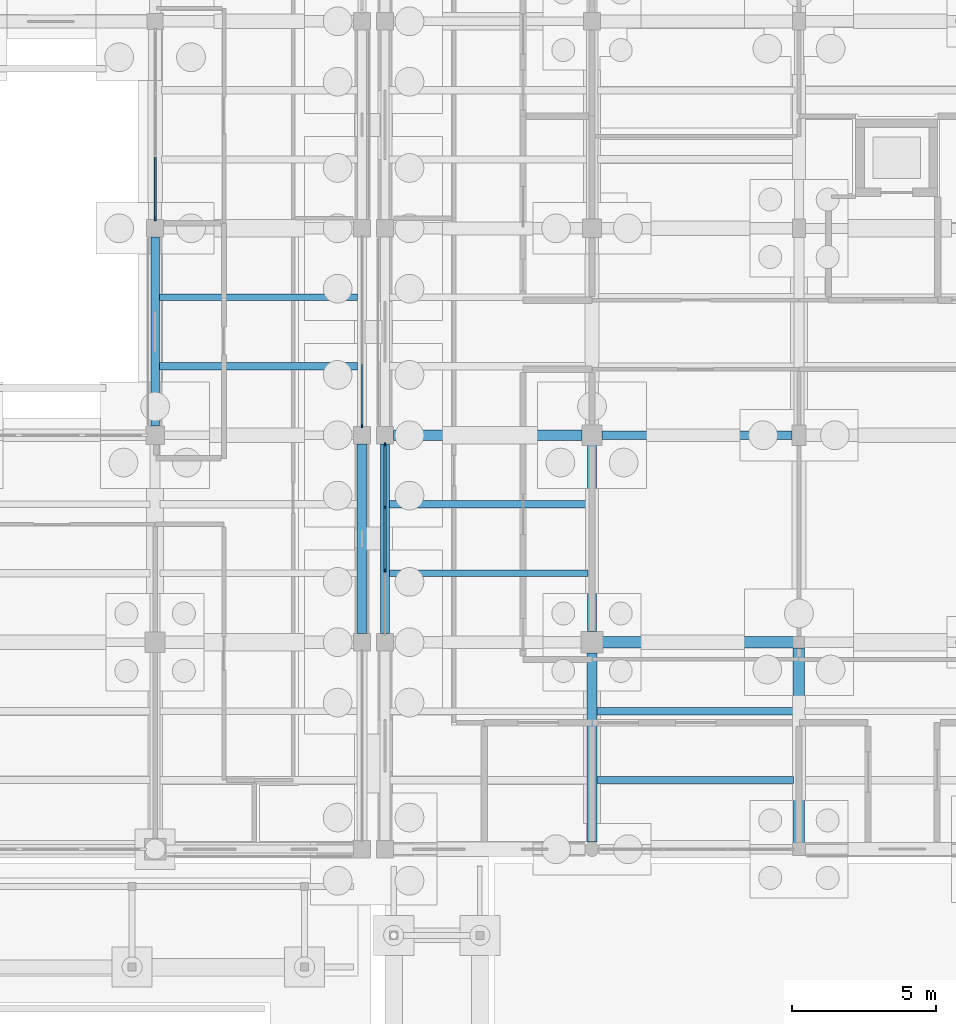
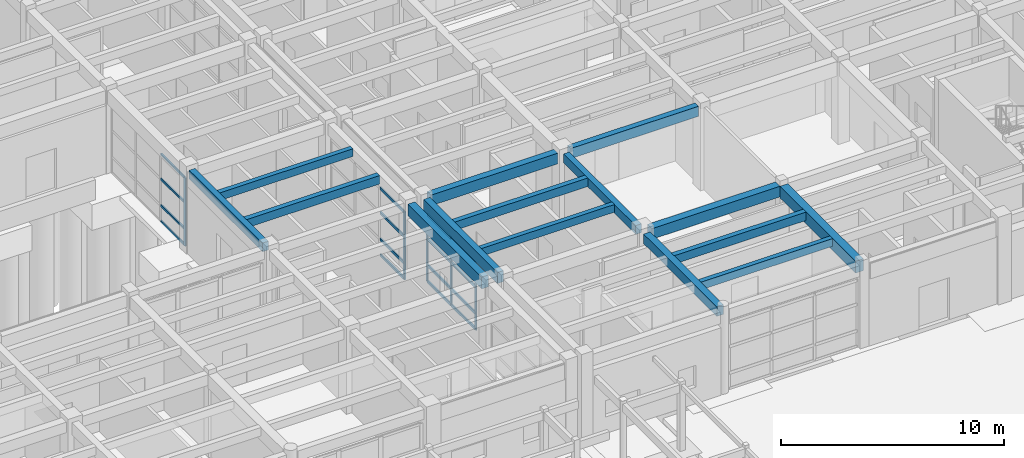
# One storey, part 67 of 143: 21 members, 15 beams, 3 elements without a shape of their own.
"""IFC4 building model written with IfcOpenShell, lengths in metres."""

from ifc_helpers import new_model, si_unit, direction, frame, origin, origin_2d, place, context, subcontext, project, spatial, rectangle, extrude, material, material_profile, profile_set, type_object, element, aggregate, save


model = new_model("IFC4")

# Units and contexts
model_context = context("Model", 3, precision=1e-05, world=origin(), true_north=direction((0.0, 1.0)))
body_context = subcontext(model_context, "Body", "Model", "MODEL_VIEW")
ifc_project = project(units=[si_unit("LENGTHUNIT", "METRE"), si_unit("AREAUNIT", "SQUARE_METRE"), si_unit("VOLUMEUNIT", "CUBIC_METRE"), si_unit("PLANEANGLEUNIT", "RADIAN"), si_unit("MASSUNIT", "GRAM", prefix="KILO")], contexts=[model_context])

# Site, building, storey
site_placement = place(None, origin())
site = spatial("IfcSite", under=ifc_project, at=site_placement, CompositionType="ELEMENT")
building_placement = place(site_placement, origin())
building = spatial("IfcBuilding", under=site, at=building_placement, Name="Steenspoor Specialist Clinic", CompositionType="ELEMENT")
storey_placement = place(building_placement, origin())
storey = spatial("IfcBuildingStorey", under=building, at=storey_placement, Name="L00", CompositionType="ELEMENT", Elevation=0.0)

# Beams
ifc_material_1 = material(Name="Concrete C35/45", Category="concrete")
ifc_material_profile_1 = material_profile(ifc_material_1, rectangle(XDim=0.300048828125, YDim=0.47998046875, at=origin_2d()), Name="RC-BM-300X480")
ifc_profile_set_1 = profile_set([ifc_material_profile_1], Name="Concrete C35/45")
beam_type_1 = type_object("IfcBeamType", Name="BM-RC-300X480", PredefinedType="BEAM", material=ifc_profile_set_1)
beam_1_placement = place(storey_placement, frame((110.0, 79.8701171875, 4.31005859375), z_axis=(0.0, 1.0, 0.0), x_axis=(-1.0, 0.0, 0.0)))
element("IfcBeam", 1, at=beam_1_placement, inside=storey, type_object=beam_type_1, Name="BM-V4-L00-Y0387", PredefinedType="BEAM", context=body_context, shape_type="SweptSolid", body=[
    extrude(rectangle(XDim=0.300048828125, YDim=0.47998046875, at=origin_2d()), origin(), (0.0, 0.0, 1.0), 6.5849609375),
])
beam_2_placement = place(storey_placement, frame((125.199951171875, 72.719970703125, 4.280029296875), z_axis=(0.0, 1.0, 0.0), x_axis=(-1.0, 0.0, 0.0)))
element("IfcBeam", 2, at=beam_2_placement, inside=storey, type_object=beam_type_1, Name="BM-V6-L00-Y1398", PredefinedType="BEAM", context=body_context, shape_type="SweptSolid", body=[
    extrude(rectangle(XDim=0.300048828125, YDim=0.47998046875, at=origin_2d()), origin(), (0.0, 0.0, 1.0), 6.485107421875),
])
ifc_material_profile_2 = material_profile(ifc_material_1, rectangle(XDim=0.300048828125, YDim=0.550048828125, at=origin_2d()), Name="RC-BM-300X550")
ifc_profile_set_2 = profile_set([ifc_material_profile_2], Name="Concrete C35/45")
beam_type_2 = type_object("IfcBeamType", Name="BM-RC-300X550", PredefinedType="BEAM", material=ifc_profile_set_2)
beam_3_placement = place(storey_placement, frame((125.544921875, 79.550048828125, 4.2451171875), z_axis=(1.0, 0.0, 0.0), x_axis=(0.0, 1.0, 0.0)))
element("IfcBeam", 3, at=beam_3_placement, inside=storey, type_object=beam_type_2, Name="BM-V6-L00-X1367", PredefinedType="BEAM", context=body_context, shape_type="SweptSolid", body=[
    extrude(rectangle(XDim=0.300048828125, YDim=0.550048828125, at=origin_2d()), origin(), (0.0, 0.0, 1.0), 6.610107421875),
])
ifc_material_profile_3 = material_profile(ifc_material_1, rectangle(XDim=0.35009765625, YDim=0.52001953125, at=origin_2d()), Name="RC-BM-350X520")
ifc_profile_set_3 = profile_set([ifc_material_profile_3], Name="Concrete C35/45")
beam_type_3 = type_object("IfcBeamType", Name="BM-RC-350X520", PredefinedType="BEAM", material=ifc_profile_set_3)
beam_4_placement = place(storey_placement, frame((125.199951171875, 65.39501953125, 4.260009765625), z_axis=(0.0, 1.0, 0.0), x_axis=(-1.0, 0.0, 0.0)))
element("IfcBeam", 4, at=beam_4_placement, inside=storey, type_object=beam_type_3, Name="BM-V6-L00-Y1397", PredefinedType="BEAM", context=body_context, shape_type="SweptSolid", body=[
    extrude(rectangle(XDim=0.35009765625, YDim=0.52001953125, at=origin_2d()), origin(), (0.0, 0.0, 1.0), 6.5849609375),
])
ifc_material_profile_4 = material_profile(ifc_material_1, rectangle(XDim=0.35009765625, YDim=0.580078125, at=origin_2d()), Name="RC-BM-350X580")
ifc_profile_set_4 = profile_set([ifc_material_profile_4], Name="Concrete C35/45")
beam_type_4 = type_object("IfcBeamType", Name="BM-RC-350X580", PredefinedType="BEAM", material=ifc_profile_set_4)
beam_5_placement = place(storey_placement, frame((118.294921875, 79.550048828125, 4.22998046875), z_axis=(1.0, 0.0, 0.0), x_axis=(0.0, 1.0, 0.0)))
element("IfcBeam", 5, at=beam_5_placement, inside=storey, type_object=beam_type_4, Name="BM-V6-L00-X1366", PredefinedType="BEAM", context=body_context, shape_type="SweptSolid", body=[
    extrude(rectangle(XDim=0.35009765625, YDim=0.580078125, at=origin_2d()), origin(), (0.0, 0.0, 1.0), 6.56005859375),
])
ifc_material_profile_5 = material_profile(ifc_material_1, rectangle(XDim=0.39990234375, YDim=0.580078125, at=origin_2d()), Name="RC-BM-400X580")
ifc_profile_set_5 = profile_set([ifc_material_profile_5], Name="Concrete C35/45")
beam_type_5 = type_object("IfcBeamType", Name="BM-RC-400X580", PredefinedType="BEAM", material=ifc_profile_set_5)
beam_6_placement = place(storey_placement, frame((125.570068359375, 72.35009765625, 4.22998046875), z_axis=(1.0, 0.0, 0.0), x_axis=(0.0, 1.0, 0.0)))
element("IfcBeam", 6, at=beam_6_placement, inside=storey, type_object=beam_type_5, Name="BM-V6-L00-X1363", PredefinedType="BEAM", context=body_context, shape_type="SweptSolid", body=[
    extrude(rectangle(XDim=0.39990234375, YDim=0.580078125, at=origin_2d()), origin(), (0.0, 0.0, 1.0), 6.635009765625),
])
ifc_material_profile_6 = material_profile(ifc_material_1, rectangle(XDim=0.39990234375, YDim=0.64990234375, at=origin_2d()), Name="RC-BM-400X650")
ifc_profile_set_6 = profile_set([ifc_material_profile_6], Name="Concrete C35/45")
beam_type_6 = type_object("IfcBeamType", Name="BM-RC-400X650", PredefinedType="BEAM", material=ifc_profile_set_6)
beam_7_placement = place(storey_placement, frame((132.39990234375, 65.3701171875, 4.195068359375), z_axis=(0.0, 1.0, 0.0), x_axis=(-1.0, 0.0, 0.0)))
element("IfcBeam", 7, at=beam_7_placement, inside=storey, type_object=beam_type_6, Name="BM-V6-L00-Y1403", PredefinedType="BEAM", context=body_context, shape_type="SweptSolid", body=[
    extrude(rectangle(XDim=0.39990234375, YDim=0.64990234375, at=origin_2d()), origin(), (0.0, 0.0, 1.0), 6.784912109375),
])

# Curtain wall, members
ifc_material_2 = material(Name="Thermally broken aluminium and low-emissivity glass", Category="aluminium")
curtain_wall_type_1 = type_object("IfcCurtainWallType", Name="CW-WLK-360X340", PredefinedType="USERDEFINED", material=ifc_material_2)
curtain_wall_1_placement = place(storey_placement, origin())
curtain_wall_1 = element("IfcCurtainWall", 8, at=curtain_wall_1_placement, inside=storey, type_object=curtain_wall_type_1, Name="Unitised Curtain Wall CW-V6-L00-166", ObjectType="UNITISED GLAZING", PredefinedType="USERDEFINED")
ifc_material_3 = material(Name="Thermally broken aluminium 6063-T6", Category="aluminium")
ifc_material_profile_7 = material_profile(ifc_material_3, rectangle(XDim=0.06005859375, YDim=0.135009765625, at=origin_2d()), Name="CWM-60X135")
ifc_profile_set_7 = profile_set([ifc_material_profile_7], Name="Thermally broken aluminium 6063-T6")
member_type_1 = type_object("IfcMemberType", Name="CW-MULL-60X135", PredefinedType="MULLION", material=ifc_profile_set_7)
member_1_placement = place(storey_placement, frame((118.0, 74.85009765625, 0.0), z_axis=(0.0, 0.0, 1.0), x_axis=(-1.0, 0.0, 0.0)))
member_1 = element("IfcMember", 9, at=member_1_placement, type_object=member_type_1, Name="CW-22 mullion 2", PredefinedType="MULLION", context=body_context, shape_type="SweptSolid", body=[
    extrude(rectangle(XDim=0.06005859375, YDim=0.135009765625, at=origin_2d()), origin(), (0.0, 0.0, 1.0), 3.699951171875),
])
member_2_placement = place(storey_placement, frame((118.0, 77.050048828125, 0.0), z_axis=(0.0, 0.0, 1.0), x_axis=(-1.0, 0.0, 0.0)))
member_2 = element("IfcMember", 10, at=member_2_placement, type_object=member_type_1, Name="CW-22 mullion 3", PredefinedType="MULLION", context=body_context, shape_type="SweptSolid", body=[
    extrude(rectangle(XDim=0.06005859375, YDim=0.135009765625, at=origin_2d()), origin(), (0.0, 0.0, 1.0), 3.699951171875),
])
member_3_placement = place(storey_placement, frame((118.0, 79.219970703125, 0.0), z_axis=(0.0, 0.0, 1.0), x_axis=(-1.0, 0.0, 0.0)))
member_3 = element("IfcMember", 11, at=member_3_placement, type_object=member_type_1, Name="CW-22 mullion 4", PredefinedType="MULLION", context=body_context, shape_type="SweptSolid", body=[
    extrude(rectangle(XDim=0.06005859375, YDim=0.135009765625, at=origin_2d()), origin(), (0.0, 0.0, 1.0), 3.699951171875),
])

# Curtain wall, member
curtain_wall_type_2 = type_object("IfcCurtainWallType", Name="CW-HALL-480X820", PredefinedType="USERDEFINED", material=ifc_material_2)
curtain_wall_2_placement = place(storey_placement, origin())
curtain_wall_2 = element("IfcCurtainWall", 12, at=curtain_wall_2_placement, inside=storey, type_object=curtain_wall_type_2, Name="Unitised Curtain Wall CW-V4-L00-051", ObjectType="UNITISED GLAZING", PredefinedType="USERDEFINED")
ifc_material_profile_8 = material_profile(ifc_material_3, rectangle(XDim=0.06494140625, YDim=0.14990234375, at=origin_2d()), Name="CWM-65X150")
ifc_profile_set_8 = profile_set([ifc_material_profile_8], Name="Thermally broken aluminium 6063-T6")
member_type_2 = type_object("IfcMemberType", Name="CW-MULL-65X150", PredefinedType="MULLION", material=ifc_profile_set_8)
member_4_placement = place(storey_placement, frame((117.199951171875, 79.882568359375, 0.0), z_axis=(0.0, 0.0, 1.0), x_axis=(1.0, 0.0, 0.0)))
member_4 = element("IfcMember", 13, at=member_4_placement, type_object=member_type_2, Name="CW-03 mullion 4", PredefinedType="MULLION", context=body_context, shape_type="SweptSolid", body=[
    extrude(rectangle(XDim=0.06494140625, YDim=0.14990234375, at=origin_2d()), origin(), (0.0, 0.0, 1.0), 3.72998046875),
])

# Curtain wall, members
curtain_wall_type_3 = type_object("IfcCurtainWallType", Name="CW-TYP-660X355", PredefinedType="USERDEFINED", material=ifc_material_2)
curtain_wall_3_placement = place(storey_placement, origin())
curtain_wall_3 = element("IfcCurtainWall", 14, at=curtain_wall_3_placement, inside=storey, type_object=curtain_wall_type_3, Name="Unitised Curtain Wall CW-V4-L00-057", ObjectType="UNITISED GLAZING", PredefinedType="USERDEFINED")
member_5_placement = place(storey_placement, frame((110.0, 87.08251953125, 0.0), z_axis=(0.0, 0.0, 1.0), x_axis=(-1.0, 0.0, 0.0)))
member_5 = element("IfcMember", 15, at=member_5_placement, type_object=member_type_2, Name="CW-09 mullion 1", PredefinedType="MULLION", context=body_context, shape_type="SweptSolid", body=[
    extrude(rectangle(XDim=0.06494140625, YDim=0.14990234375, at=origin_2d()), origin(), (0.0, 0.0, 1.0), 3.72998046875),
])
ifc_material_profile_9 = material_profile(ifc_material_3, rectangle(XDim=0.06494140625, YDim=0.1298828125, at=origin_2d()), Name="CWT-65X130")
ifc_profile_set_9 = profile_set([ifc_material_profile_9], Name="Thermally broken aluminium 6063-T6")
member_type_3 = type_object("IfcMemberType", Name="CW-TRAN-65X130", PredefinedType="USERDEFINED", material=ifc_profile_set_9)
member_6_placement = place(storey_placement, frame((110.0, 87.114990234375, 0.032470703125), z_axis=(0.0, 1.0, 0.0), x_axis=(-1.0, 0.0, 0.0)))
member_6 = element("IfcMember", 16, at=member_6_placement, type_object=member_type_3, Name="CW-09 transom 1.1", ObjectType="TRANSOM", PredefinedType="USERDEFINED", context=body_context, shape_type="SweptSolid", body=[
    extrude(rectangle(XDim=0.06494140625, YDim=0.1298828125, at=origin_2d()), origin(), (0.0, 0.0, 1.0), 2.11083984375),
])
member_7_placement = place(storey_placement, frame((110.0, 87.114990234375, 0.89990234375), z_axis=(0.0, 1.0, 0.0), x_axis=(-1.0, 0.0, 0.0)))
member_7 = element("IfcMember", 17, at=member_7_placement, type_object=member_type_3, Name="CW-09 transom 1.2", ObjectType="TRANSOM", PredefinedType="USERDEFINED", context=body_context, shape_type="SweptSolid", body=[
    extrude(rectangle(XDim=0.06494140625, YDim=0.1298828125, at=origin_2d()), origin(), (0.0, 0.0, 1.0), 2.11083984375),
])
member_8_placement = place(storey_placement, frame((110.0, 87.114990234375, 2.35009765625), z_axis=(0.0, 1.0, 0.0), x_axis=(-1.0, 0.0, 0.0)))
member_8 = element("IfcMember", 18, at=member_8_placement, type_object=member_type_3, Name="CW-09 transom 1.3", ObjectType="TRANSOM", PredefinedType="USERDEFINED", context=body_context, shape_type="SweptSolid", body=[
    extrude(rectangle(XDim=0.06494140625, YDim=0.1298828125, at=origin_2d()), origin(), (0.0, 0.0, 1.0), 2.11083984375),
])
member_9_placement = place(storey_placement, frame((110.0, 87.114990234375, 3.697509765625), z_axis=(0.0, 1.0, 0.0), x_axis=(-1.0, 0.0, 0.0)))
member_9 = element("IfcMember", 19, at=member_9_placement, type_object=member_type_3, Name="CW-09 transom 1.4", ObjectType="TRANSOM", PredefinedType="USERDEFINED", context=body_context, shape_type="SweptSolid", body=[
    extrude(rectangle(XDim=0.06494140625, YDim=0.1298828125, at=origin_2d()), origin(), (0.0, 0.0, 1.0), 2.11083984375),
])
aggregate(curtain_wall_3, [member_5, member_6, member_7, member_8, member_9])

# Member
ifc_material_profile_10 = material_profile(ifc_material_3, rectangle(XDim=0.070068359375, YDim=0.14501953125, at=origin_2d()), Name="CWT-70X145")
ifc_profile_set_10 = profile_set([ifc_material_profile_10], Name="Thermally broken aluminium 6063-T6")
member_type_4 = type_object("IfcMemberType", Name="CW-TRAN-70X145", PredefinedType="USERDEFINED", material=ifc_profile_set_10)
member_10_placement = place(storey_placement, frame((117.199951171875, 82.017578125, 0.034912109375), z_axis=(0.0, -1.0, 0.0), x_axis=(1.0, 0.0, 0.0)))
member_10 = element("IfcMember", 20, at=member_10_placement, type_object=member_type_4, Name="CW-03 transom 3.1", ObjectType="TRANSOM", PredefinedType="USERDEFINED", context=body_context, shape_type="SweptSolid", body=[
    extrude(rectangle(XDim=0.070068359375, YDim=0.14501953125, at=origin_2d()), origin(), (0.0, 0.0, 1.0), 2.1025390625),
])

member_11_placement = place(storey_placement, frame((117.199951171875, 82.017578125, 0.89990234375), z_axis=(0.0, -1.0, 0.0), x_axis=(1.0, 0.0, 0.0)))
member_11 = element("IfcMember", 21, at=member_11_placement, type_object=member_type_4, Name="CW-03 transom 3.2", ObjectType="TRANSOM", PredefinedType="USERDEFINED", context=body_context, shape_type="SweptSolid", body=[
    extrude(rectangle(XDim=0.070068359375, YDim=0.14501953125, at=origin_2d()), origin(), (0.0, 0.0, 1.0), 2.1025390625),
])

member_12_placement = place(storey_placement, frame((117.199951171875, 82.017578125, 2.35009765625), z_axis=(0.0, -1.0, 0.0), x_axis=(1.0, 0.0, 0.0)))
member_12 = element("IfcMember", 22, at=member_12_placement, type_object=member_type_4, Name="CW-03 transom 3.3", ObjectType="TRANSOM", PredefinedType="USERDEFINED", context=body_context, shape_type="SweptSolid", body=[
    extrude(rectangle(XDim=0.070068359375, YDim=0.14501953125, at=origin_2d()), origin(), (0.0, 0.0, 1.0), 2.1025390625),
])

member_13_placement = place(storey_placement, frame((117.199951171875, 82.017578125, 3.695068359375), z_axis=(0.0, -1.0, 0.0), x_axis=(1.0, 0.0, 0.0)))
member_13 = element("IfcMember", 23, at=member_13_placement, type_object=member_type_4, Name="CW-03 transom 3.4", ObjectType="TRANSOM", PredefinedType="USERDEFINED", context=body_context, shape_type="SweptSolid", body=[
    extrude(rectangle(XDim=0.070068359375, YDim=0.14501953125, at=origin_2d()), origin(), (0.0, 0.0, 1.0), 2.1025390625),
])

aggregate(curtain_wall_2, [member_4, member_10, member_11, member_12, member_13])

member_14_placement = place(storey_placement, frame((118.0, 74.8798828125, 0.034912109375), z_axis=(0.0, 1.0, 0.0), x_axis=(-1.0, 0.0, 0.0)))
member_14 = element("IfcMember", 24, at=member_14_placement, type_object=member_type_4, Name="CW-22 transom 2.1", ObjectType="TRANSOM", PredefinedType="USERDEFINED", context=body_context, shape_type="SweptSolid", body=[
    extrude(rectangle(XDim=0.070068359375, YDim=0.14501953125, at=origin_2d()), origin(), (0.0, 0.0, 1.0), 2.14013671875),
])

member_15_placement = place(storey_placement, frame((118.0, 74.8798828125, 0.89990234375), z_axis=(0.0, 1.0, 0.0), x_axis=(-1.0, 0.0, 0.0)))
member_15 = element("IfcMember", 25, at=member_15_placement, type_object=member_type_4, Name="CW-22 transom 2.2", ObjectType="TRANSOM", PredefinedType="USERDEFINED", context=body_context, shape_type="SweptSolid", body=[
    extrude(rectangle(XDim=0.070068359375, YDim=0.14501953125, at=origin_2d()), origin(), (0.0, 0.0, 1.0), 2.14013671875),
])

member_16_placement = place(storey_placement, frame((118.0, 74.8798828125, 2.35009765625), z_axis=(0.0, 1.0, 0.0), x_axis=(-1.0, 0.0, 0.0)))
member_16 = element("IfcMember", 26, at=member_16_placement, type_object=member_type_4, Name="CW-22 transom 2.3", ObjectType="TRANSOM", PredefinedType="USERDEFINED", context=body_context, shape_type="SweptSolid", body=[
    extrude(rectangle(XDim=0.070068359375, YDim=0.14501953125, at=origin_2d()), origin(), (0.0, 0.0, 1.0), 2.14013671875),
])

member_17_placement = place(storey_placement, frame((118.0, 74.8798828125, 3.6650390625), z_axis=(0.0, 1.0, 0.0), x_axis=(-1.0, 0.0, 0.0)))
member_17 = element("IfcMember", 27, at=member_17_placement, type_object=member_type_4, Name="CW-22 transom 2.4", ObjectType="TRANSOM", PredefinedType="USERDEFINED", context=body_context, shape_type="SweptSolid", body=[
    extrude(rectangle(XDim=0.070068359375, YDim=0.14501953125, at=origin_2d()), origin(), (0.0, 0.0, 1.0), 2.14013671875),
])

member_18_placement = place(storey_placement, frame((118.0, 77.080078125, 0.034912109375), z_axis=(0.0, 1.0, 0.0), x_axis=(-1.0, 0.0, 0.0)))
member_18 = element("IfcMember", 28, at=member_18_placement, type_object=member_type_4, Name="CW-22 transom 3.1", ObjectType="TRANSOM", PredefinedType="USERDEFINED", context=body_context, shape_type="SweptSolid", body=[
    extrude(rectangle(XDim=0.070068359375, YDim=0.14501953125, at=origin_2d()), origin(), (0.0, 0.0, 1.0), 2.10986328125),
])

member_19_placement = place(storey_placement, frame((118.0, 77.080078125, 0.89990234375), z_axis=(0.0, 1.0, 0.0), x_axis=(-1.0, 0.0, 0.0)))
member_19 = element("IfcMember", 29, at=member_19_placement, type_object=member_type_4, Name="CW-22 transom 3.2", ObjectType="TRANSOM", PredefinedType="USERDEFINED", context=body_context, shape_type="SweptSolid", body=[
    extrude(rectangle(XDim=0.070068359375, YDim=0.14501953125, at=origin_2d()), origin(), (0.0, 0.0, 1.0), 2.10986328125),
])

member_20_placement = place(storey_placement, frame((118.0, 77.080078125, 2.35009765625), z_axis=(0.0, 1.0, 0.0), x_axis=(-1.0, 0.0, 0.0)))
member_20 = element("IfcMember", 30, at=member_20_placement, type_object=member_type_4, Name="CW-22 transom 3.3", ObjectType="TRANSOM", PredefinedType="USERDEFINED", context=body_context, shape_type="SweptSolid", body=[
    extrude(rectangle(XDim=0.070068359375, YDim=0.14501953125, at=origin_2d()), origin(), (0.0, 0.0, 1.0), 2.10986328125),
])

member_21_placement = place(storey_placement, frame((118.0, 77.080078125, 3.6650390625), z_axis=(0.0, 1.0, 0.0), x_axis=(-1.0, 0.0, 0.0)))
member_21 = element("IfcMember", 31, at=member_21_placement, type_object=member_type_4, Name="CW-22 transom 3.4", ObjectType="TRANSOM", PredefinedType="USERDEFINED", context=body_context, shape_type="SweptSolid", body=[
    extrude(rectangle(XDim=0.070068359375, YDim=0.14501953125, at=origin_2d()), origin(), (0.0, 0.0, 1.0), 2.10986328125),
])

aggregate(curtain_wall_1, [member_1, member_2, member_3, member_14, member_15, member_16, member_17, member_18, member_19, member_20, member_21])

# Beams
ifc_material_profile_11 = material_profile(ifc_material_1, rectangle(XDim=0.239990234375, YDim=0.419921875, at=origin_2d()), Name="RC-JT-240X420")
ifc_profile_set_11 = profile_set([ifc_material_profile_11], Name="Concrete C35/45")
beam_type_7 = type_object("IfcBeamType", Name="JT-RC-240X420", PredefinedType="JOIST", material=ifc_profile_set_11)
for number, where, z_axis, x_axis, name in (
    (32, (110.14501953125, 84.35009765625, 4.340087890625), (1.0, 0.0, 0.0), (0.0, 1.0, 0.0), "JT-V4-L00-0468"),
    (33, (118.155029296875, 74.75, 4.31005859375), (1.0, 0.0, 0.0), (0.0, 1.0, 0.0), "JT-V6-L00-1430"),
):
    element("IfcBeam", number, at=place(storey_placement, frame(where, z_axis=z_axis, x_axis=x_axis)), inside=storey, type_object=beam_type_7, Name=name, PredefinedType="JOIST", context=body_context, shape_type="SweptSolid", body=[
        extrude(rectangle(XDim=0.239990234375, YDim=0.419921875, at=origin_2d()), origin(), (0.0, 0.0, 1.0), 6.89990234375),
    ])
beam_8_placement = place(storey_placement, frame((125.3701171875, 67.550048828125, 4.31005859375), z_axis=(1.0, 0.0, 0.0), x_axis=(0.0, 1.0, 0.0)))
element("IfcBeam", 34, at=beam_8_placement, inside=storey, type_object=beam_type_7, Name="JT-V6-L00-1440", PredefinedType="JOIST", context=body_context, shape_type="SweptSolid", body=[
    extrude(rectangle(XDim=0.239990234375, YDim=0.419921875, at=origin_2d()), origin(), (0.0, 0.0, 1.0), 6.8349609375),
])
ifc_material_profile_12 = material_profile(ifc_material_1, rectangle(XDim=0.260009765625, YDim=0.4599609375, at=origin_2d()), Name="RC-JT-260X460")
ifc_profile_set_12 = profile_set([ifc_material_profile_12], Name="Concrete C35/45")
beam_type_8 = type_object("IfcBeamType", Name="JT-RC-260X460", PredefinedType="JOIST", material=ifc_profile_set_12)
for number, where, z_axis, x_axis, name in (
    (35, (110.14501953125, 81.949951171875, 4.320068359375), (1.0, 0.0, 0.0), (0.0, 1.0, 0.0), "JT-V4-L00-0467"),
    (36, (118.155029296875, 77.14990234375, 4.2900390625), (1.0, 0.0, 0.0), (0.0, 1.0, 0.0), "JT-V6-L00-1431"),
):
    element("IfcBeam", number, at=place(storey_placement, frame(where, z_axis=z_axis, x_axis=x_axis)), inside=storey, type_object=beam_type_8, Name=name, PredefinedType="JOIST", context=body_context, shape_type="SweptSolid", body=[
        extrude(rectangle(XDim=0.260009765625, YDim=0.4599609375, at=origin_2d()), origin(), (0.0, 0.0, 1.0), 6.89990234375),
    ])
beam_9_placement = place(storey_placement, frame((125.3701171875, 69.949951171875, 4.2900390625), z_axis=(1.0, 0.0, 0.0), x_axis=(0.0, 1.0, 0.0)))
element("IfcBeam", 37, at=beam_9_placement, inside=storey, type_object=beam_type_8, Name="JT-V6-L00-1441", PredefinedType="JOIST", context=body_context, shape_type="SweptSolid", body=[
    extrude(rectangle(XDim=0.260009765625, YDim=0.4599609375, at=origin_2d()), origin(), (0.0, 0.0, 1.0), 6.8349609375),
])
ifc_material_profile_13 = material_profile(ifc_material_1, rectangle(XDim=0.320068359375, YDim=0.60009765625, at=origin_2d()), Name="RC-SP-320X600")
ifc_profile_set_13 = profile_set([ifc_material_profile_13], Name="Concrete C35/45")
beam_type_9 = type_object("IfcBeamType", Name="SP-RC-320X600", PredefinedType="SPANDREL", material=ifc_profile_set_13)
beam_10_placement = place(storey_placement, frame((118.0, 72.64501953125, 4.219970703125), z_axis=(0.0, 1.0, 0.0), x_axis=(-1.0, 0.0, 0.0)))
element("IfcBeam", 38, at=beam_10_placement, inside=storey, type_object=beam_type_9, Name="BM-V6-L00-Y1392", PredefinedType="SPANDREL", context=body_context, shape_type="SweptSolid", body=[
    extrude(rectangle(XDim=0.320068359375, YDim=0.60009765625, at=origin_2d()), origin(), (0.0, 0.0, 1.0), 6.60986328125),
])
ifc_material_profile_14 = material_profile(ifc_material_1, rectangle(XDim=0.360107421875, YDim=0.639892578125, at=origin_2d()), Name="RC-SP-360X640")
ifc_profile_set_14 = profile_set([ifc_material_profile_14], Name="Concrete C35/45")
beam_type_10 = type_object("IfcBeamType", Name="SP-RC-360X640", PredefinedType="SPANDREL", material=ifc_profile_set_14)
beam_11_placement = place(storey_placement, frame((117.199951171875, 72.64501953125, 4.22998046875), z_axis=(0.0, 1.0, 0.0), x_axis=(-1.0, 0.0, 0.0)))
element("IfcBeam", 39, at=beam_11_placement, inside=storey, type_object=beam_type_10, Name="BM-V4-L00-Y0392", PredefinedType="SPANDREL", context=body_context, shape_type="SweptSolid", body=[
    extrude(rectangle(XDim=0.360107421875, YDim=0.639892578125, at=origin_2d()), origin(), (0.0, 0.0, 1.0), 6.60986328125),
])

save(model, "model.ifc")
